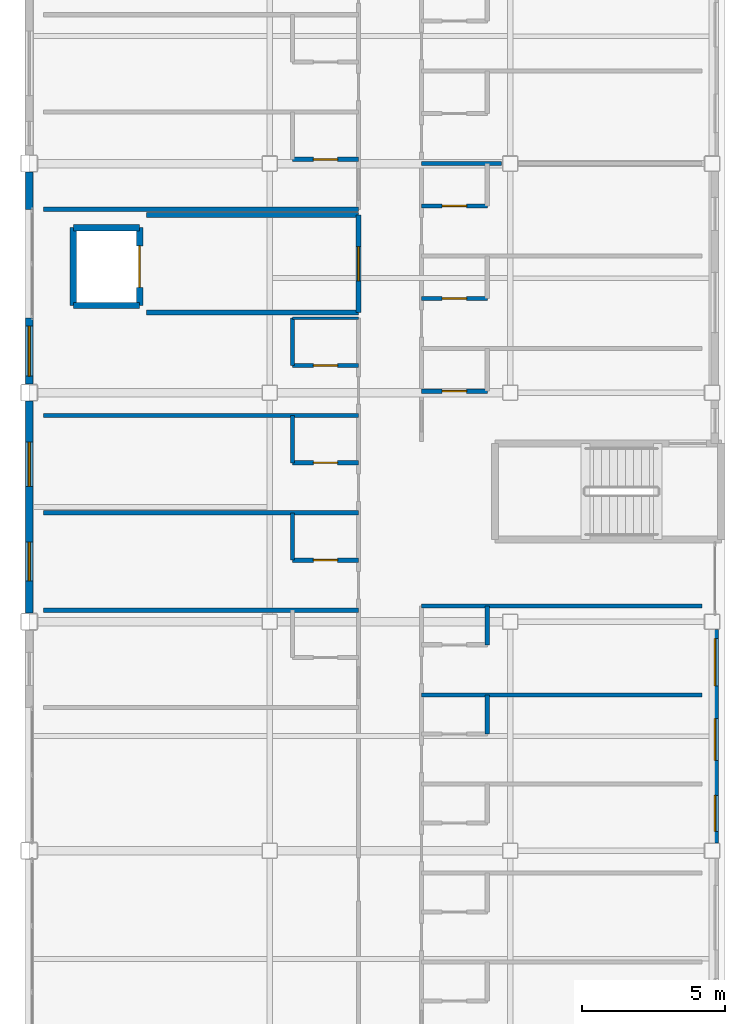
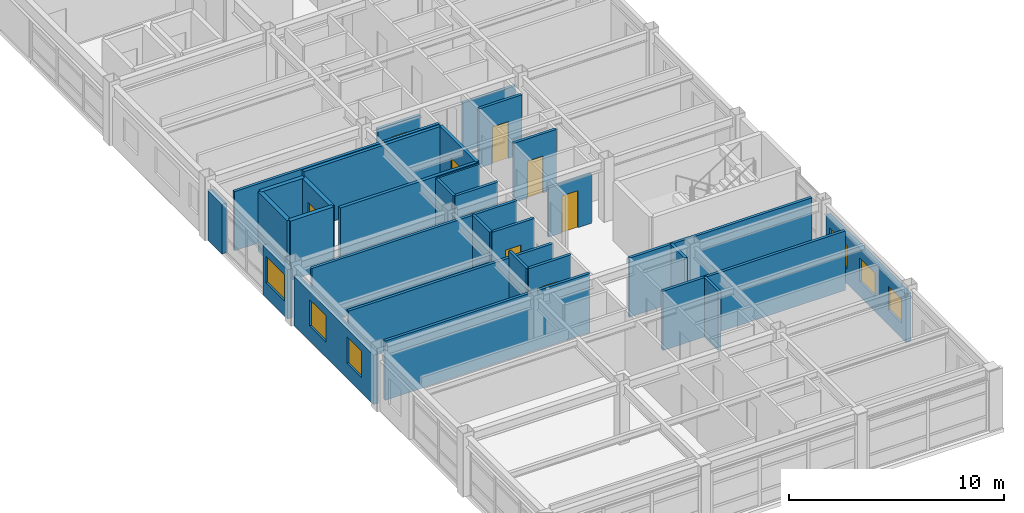
# One storey, part 25 of 36: 31 walls, 9 doors, 6 windows, 15 openings.
"""IFC4 building model written with IfcOpenShell, lengths in metres."""

from ifc_helpers import new_model, si_unit, direction, frame, frame_2d, origin, place, context, subcontext, project, spatial, rectangle, extrude, material, layer, layer_set, type_object, element, fill, save


model = new_model("IFC4")

# Units and contexts
model_context = context("Model", 3, precision=1e-05, world=origin(), true_north=direction((0.0, 1.0)))
body_context = subcontext(model_context, "Body", "Model", "MODEL_VIEW")
ifc_project = project(units=[si_unit("LENGTHUNIT", "METRE"), si_unit("AREAUNIT", "SQUARE_METRE"), si_unit("VOLUMEUNIT", "CUBIC_METRE"), si_unit("PLANEANGLEUNIT", "RADIAN"), si_unit("MASSUNIT", "GRAM", prefix="KILO")], contexts=[model_context])

# Site, building, storey
site_placement = place(None, origin())
site = spatial("IfcSite", under=ifc_project, at=site_placement, CompositionType="ELEMENT")
building_placement = place(site_placement, origin())
building = spatial("IfcBuilding", under=site, at=building_placement, Name="Kazehara Bluff Congress Hotel", CompositionType="ELEMENT")
storey_placement = place(building_placement, frame((0.0, 0.0, 28.199951171875)))
storey = spatial("IfcBuildingStorey", under=building, at=storey_placement, Name="L06", CompositionType="ELEMENT", Elevation=28.199951171875)

# Wall, openings, windows
ifc_material_1 = material(Name="Precast concrete C40/50", Category="concrete")
ifc_layer_1 = layer(ifc_material_1, 0.260009765625)
ifc_layer_set_1 = layer_set([ifc_layer_1], Name="Precast concrete C40/50")
wall_type_1 = type_object("IfcWallType", Name="TP-EW-260", PredefinedType="SOLIDWALL", material=ifc_layer_set_1)
wall_1_placement = place(storey_placement, frame((167.64990234375, 15.72509765625, 0.0), z_axis=(0.0, 0.0, 1.0), x_axis=(0.0, -1.0, 0.0)))
wall_1 = element("IfcWall", 1, at=wall_1_placement, inside=storey, type_object=wall_type_1, Name="L06 hotel facade panel 67", PredefinedType="SOLIDWALL", context=body_context, shape_type="SweptSolid", body=[
    extrude(rectangle(XDim=7.4501953125, YDim=0.260009765625, at=frame_2d((3.72509765625, 0.0))), origin(), (0.0, 0.0, 1.0), 2.755126953125),
])
opening_1_placement = place(wall_1_placement, frame((5.794921875, 0.0, 0.85009765625)))
opening_1 = element("IfcOpeningElement", 2, at=opening_1_placement, cuts=wall_1, Name="Opening WN-06", PredefinedType="OPENING", context=body_context, shape_type="SweptSolid", body=[
    extrude(rectangle(XDim=1.25, YDim=1.35009765625, at=frame_2d((0.625, 0.675048828125))), frame((0.0, 0.139892578125, 0.0), z_axis=(0.0, -1.0, 0.0), x_axis=(1.0, 0.0, 0.0)), (0.0, 0.0, 1.0), 0.280029296875),
])
opening_2_placement = place(wall_1_placement, frame((3.114990234375, 0.0, 0.85009765625)))
opening_2 = element("IfcOpeningElement", 3, at=opening_2_placement, cuts=wall_1, Name="Opening WN-16", PredefinedType="OPENING", context=body_context, shape_type="SweptSolid", body=[
    extrude(rectangle(XDim=1.449951171875, YDim=1.35009765625, at=frame_2d((0.72509765625, 0.675048828125))), frame((0.0, 0.139892578125, 0.0), z_axis=(0.0, -1.0, 0.0), x_axis=(1.0, 0.0, 0.0)), (0.0, 0.0, 1.0), 0.280029296875),
])
opening_3_placement = place(wall_1_placement, frame((0.320068359375, 0.0, 0.85009765625)))
opening_3 = element("IfcOpeningElement", 4, at=opening_3_placement, cuts=wall_1, Name="Opening WN-26", PredefinedType="OPENING", context=body_context, shape_type="SweptSolid", body=[
    extrude(rectangle(XDim=1.64990234375, YDim=1.35009765625, at=frame_2d((0.824951171875, 0.675048828125))), frame((0.0, 0.139892578125, 0.0), z_axis=(0.0, -1.0, 0.0), x_axis=(1.0, 0.0, 0.0)), (0.0, 0.0, 1.0), 0.280029296875),
])
ifc_material_2 = material(Name="Insulated low-E double glazing", Category="glass")
window_type_1 = type_object("IfcWindowType", Name="TP-WN-06", PartitioningType="SINGLE_PANEL", PredefinedType="WINDOW", material=ifc_material_2)
window_1_placement = place(opening_1_placement, origin())
window_1 = element("IfcWindow", 5, at=window_1_placement, inside=storey, type_object=window_type_1, Name="L06 guestroom window WN-06 121", OverallHeight=1.35009765625, OverallWidth=1.25, PartitioningType="SINGLE_PANEL", PredefinedType="WINDOW", context=body_context, shape_type="SweptSolid", body=[
    extrude(rectangle(XDim=1.25, YDim=1.35009765625, at=frame_2d((0.625, 0.675048828125))), frame((0.0, 0.030029296875, 0.0), z_axis=(0.0, -1.0, 0.0), x_axis=(1.0, 0.0, 0.0)), (0.0, 0.0, 1.0), 0.06005859375),
])
fill(opening_1, window_1)
ifc_material_3 = material(Name="Insulated low-E double glazing", Category="glass")
window_type_2 = type_object("IfcWindowType", Name="TP-WN-16", PartitioningType="SINGLE_PANEL", PredefinedType="WINDOW", material=ifc_material_3)
window_2_placement = place(opening_2_placement, origin())
window_2 = element("IfcWindow", 6, at=window_2_placement, inside=storey, type_object=window_type_2, Name="L06 guestroom window WN-16 122", OverallHeight=1.35009765625, OverallWidth=1.449951171875, PartitioningType="SINGLE_PANEL", PredefinedType="WINDOW", context=body_context, shape_type="SweptSolid", body=[
    extrude(rectangle(XDim=1.449951171875, YDim=1.35009765625, at=frame_2d((0.72509765625, 0.675048828125))), frame((0.0, 0.030029296875, 0.0), z_axis=(0.0, -1.0, 0.0), x_axis=(1.0, 0.0, 0.0)), (0.0, 0.0, 1.0), 0.06005859375),
])
fill(opening_2, window_2)
ifc_material_4 = material(Name="Insulated low-E double glazing", Category="glass")
window_type_3 = type_object("IfcWindowType", Name="TP-WN-26", PartitioningType="SINGLE_PANEL", PredefinedType="WINDOW", material=ifc_material_4)
window_3_placement = place(opening_3_placement, origin())
window_3 = element("IfcWindow", 7, at=window_3_placement, inside=storey, type_object=window_type_3, Name="L06 guestroom window WN-26 123", OverallHeight=1.35009765625, OverallWidth=1.64990234375, PartitioningType="SINGLE_PANEL", PredefinedType="WINDOW", context=body_context, shape_type="SweptSolid", body=[
    extrude(rectangle(XDim=1.64990234375, YDim=1.35009765625, at=frame_2d((0.824951171875, 0.675048828125))), frame((0.0, 0.030029296875, 0.0), z_axis=(0.0, -1.0, 0.0), x_axis=(1.0, 0.0, 0.0)), (0.0, 0.0, 1.0), 0.06005859375),
])
fill(opening_3, window_3)

wall_2_placement = place(storey_placement, frame((143.699951171875, 16.300048828125, 0.0), z_axis=(0.0, 0.0, 1.0), x_axis=(0.0, 1.0, 0.0)))
wall_2 = element("IfcWall", 8, at=wall_2_placement, inside=storey, type_object=wall_type_1, Name="L06 hotel facade panel 80", PredefinedType="SOLIDWALL", context=body_context, shape_type="SweptSolid", body=[
    extrude(rectangle(XDim=7.39990234375, YDim=0.260009765625, at=frame_2d((3.699951171875, 0.0))), origin(), (0.0, 0.0, 1.0), 2.804931640625),
])
opening_4_placement = place(wall_2_placement, frame((1.125, 0.0, 0.85009765625)))
opening_4 = element("IfcOpeningElement", 9, at=opening_4_placement, cuts=wall_2, Name="Opening WN-12", PredefinedType="OPENING", context=body_context, shape_type="SweptSolid", body=[
    extrude(rectangle(XDim=1.35009765625, YDim=1.5, at=frame_2d((0.675048828125, 0.75))), frame((0.0, 0.139892578125, 0.0), z_axis=(0.0, -1.0, 0.0), x_axis=(1.0, 0.0, 0.0)), (0.0, 0.0, 1.0), 0.280029296875),
])
opening_5_placement = place(wall_2_placement, frame((4.425048828125, 0.0, 0.85009765625)))
opening_5 = element("IfcOpeningElement", 10, at=opening_5_placement, cuts=wall_2, Name="Opening WN-22", PredefinedType="OPENING", context=body_context, shape_type="SweptSolid", body=[
    extrude(rectangle(XDim=1.550048828125, YDim=1.5, at=frame_2d((0.77490234375, 0.75))), frame((0.0, 0.139892578125, 0.0), z_axis=(0.0, -1.0, 0.0), x_axis=(1.0, 0.0, 0.0)), (0.0, 0.0, 1.0), 0.280029296875),
])
ifc_material_5 = material(Name="Insulated low-E double glazing", Category="glass")
window_type_4 = type_object("IfcWindowType", Name="TP-WN-12", PartitioningType="SINGLE_PANEL", PredefinedType="WINDOW", material=ifc_material_5)
window_4_placement = place(opening_4_placement, origin())
window_4 = element("IfcWindow", 11, at=window_4_placement, inside=storey, type_object=window_type_4, Name="L06 guestroom window WN-12 148", OverallHeight=1.5, OverallWidth=1.35009765625, PartitioningType="SINGLE_PANEL", PredefinedType="WINDOW", context=body_context, shape_type="SweptSolid", body=[
    extrude(rectangle(XDim=1.35009765625, YDim=1.5, at=frame_2d((0.675048828125, 0.75))), frame((0.0, 0.030029296875, 0.0), z_axis=(0.0, -1.0, 0.0), x_axis=(1.0, 0.0, 0.0)), (0.0, 0.0, 1.0), 0.06005859375),
])
fill(opening_4, window_4)
ifc_material_6 = material(Name="Insulated low-E double glazing", Category="glass")
window_type_5 = type_object("IfcWindowType", Name="TP-WN-22", PartitioningType="SINGLE_PANEL", PredefinedType="WINDOW", material=ifc_material_6)
window_5_placement = place(opening_5_placement, origin())
window_5 = element("IfcWindow", 12, at=window_5_placement, inside=storey, type_object=window_type_5, Name="L06 guestroom window WN-22 149", OverallHeight=1.5, OverallWidth=1.550048828125, PartitioningType="SINGLE_PANEL", PredefinedType="WINDOW", context=body_context, shape_type="SweptSolid", body=[
    extrude(rectangle(XDim=1.550048828125, YDim=1.5, at=frame_2d((0.77490234375, 0.75))), frame((0.0, 0.030029296875, 0.0), z_axis=(0.0, -1.0, 0.0), x_axis=(1.0, 0.0, 0.0)), (0.0, 0.0, 1.0), 0.06005859375),
])
fill(opening_5, window_5)

# Wall, opening, window
wall_3_placement = place(storey_placement, frame((143.699951171875, 24.300048828125, 0.0), z_axis=(0.0, 0.0, 1.0), x_axis=(0.0, 1.0, 0.0)))
wall_3 = element("IfcWall", 13, at=wall_3_placement, inside=storey, type_object=wall_type_1, Name="L06 hotel facade panel 81", PredefinedType="SOLIDWALL", context=body_context, shape_type="SweptSolid", body=[
    extrude(rectangle(XDim=2.300048828125, YDim=0.260009765625, at=frame_2d((1.14990234375, 0.0))), origin(), (0.0, 0.0, 1.0), 2.804931640625),
])
opening_6_placement = place(wall_3_placement, frame((0.27490234375, 0.0, 0.85009765625)))
opening_6 = element("IfcOpeningElement", 14, at=opening_6_placement, cuts=wall_3, Name="Opening WN-32", PredefinedType="OPENING", context=body_context, shape_type="SweptSolid", body=[
    extrude(rectangle(XDim=1.75, YDim=1.5, at=frame_2d((0.875, 0.75))), frame((0.0, 0.139892578125, 0.0), z_axis=(0.0, -1.0, 0.0), x_axis=(1.0, 0.0, 0.0)), (0.0, 0.0, 1.0), 0.280029296875),
])
ifc_material_7 = material(Name="Insulated low-E double glazing", Category="glass")
window_type_6 = type_object("IfcWindowType", Name="TP-WN-32", PartitioningType="SINGLE_PANEL", PredefinedType="WINDOW", material=ifc_material_7)
window_6_placement = place(opening_6_placement, origin())
window_6 = element("IfcWindow", 15, at=window_6_placement, inside=storey, type_object=window_type_6, Name="L06 guestroom window WN-32 150", OverallHeight=1.5, OverallWidth=1.75, PartitioningType="SINGLE_PANEL", PredefinedType="WINDOW", context=body_context, shape_type="SweptSolid", body=[
    extrude(rectangle(XDim=1.75, YDim=1.5, at=frame_2d((0.875, 0.75))), frame((0.0, 0.030029296875, 0.0), z_axis=(0.0, -1.0, 0.0), x_axis=(1.0, 0.0, 0.0)), (0.0, 0.0, 1.0), 0.06005859375),
])
fill(opening_6, window_6)

# Walls
wall_4_placement = place(storey_placement, frame((143.699951171875, 30.39990234375, 0.0), z_axis=(0.0, 0.0, 1.0), x_axis=(0.0, 1.0, 0.0)))
element("IfcWall", 16, at=wall_4_placement, inside=storey, type_object=wall_type_1, Name="L06 hotel facade panel 82", PredefinedType="SOLIDWALL", context=body_context, shape_type="SweptSolid", body=[
    extrude(rectangle(XDim=1.300048828125, YDim=0.260009765625, at=frame_2d((0.64990234375, 0.0))), origin(), (0.0, 0.0, 1.0), 2.804931640625),
])
ifc_material_8 = material(Name="Fire-rated gypsum board stud partition")
ifc_layer_2 = layer(ifc_material_8, 0.094970703125)
ifc_layer_set_2 = layer_set([ifc_layer_2], Name="Fire-rated gypsum board stud partition")
wall_type_2 = type_object("IfcWallType", Name="TP-PT-095", PredefinedType="PARTITIONING", material=ifc_layer_set_2)
wall_5_placement = place(storey_placement, frame((152.89990234375, 26.60009765625, 0.0), z_axis=(0.0, 0.0, 1.0), x_axis=(1.0, 0.0, 0.0)))
element("IfcWall", 17, at=wall_5_placement, inside=storey, type_object=wall_type_2, Name="L06 partition PT-095 709", PredefinedType="PARTITIONING", context=body_context, shape_type="SweptSolid", body=[
    extrude(rectangle(XDim=2.300048828125, YDim=0.094970703125, at=frame_2d((1.14990234375, 0.0))), origin(), (0.0, 0.0, 1.0), 3.364990234375),
])
ifc_material_9 = material(Name="Fire-rated gypsum board stud partition")
ifc_layer_3 = layer(ifc_material_9, 0.14990234375)
ifc_layer_set_3 = layer_set([ifc_layer_3], Name="Fire-rated gypsum board stud partition")
wall_type_3 = type_object("IfcWallType", Name="TP-PT-150", PredefinedType="PARTITIONING", material=ifc_layer_set_3)
wall_6_placement = place(storey_placement, frame((157.39990234375, 13.43994140625, 0.0), z_axis=(0.0, 0.0, 1.0), x_axis=(1.0, 0.0, 0.0)))
element("IfcWall", 18, at=wall_6_placement, inside=storey, type_object=wall_type_3, Name="L06 partition PT-150 697", PredefinedType="PARTITIONING", context=body_context, shape_type="SweptSolid", body=[
    extrude(rectangle(XDim=9.800048828125, YDim=0.14990234375, at=frame_2d((4.89990234375, 0.0))), origin(), (0.0, 0.0, 1.0), 3.364990234375),
])
wall_7_placement = place(storey_placement, frame((144.199951171875, 16.39990234375, 0.0), z_axis=(0.0, 0.0, 1.0), x_axis=(1.0, 0.0, 0.0)))
element("IfcWall", 19, at=wall_7_placement, inside=storey, type_object=wall_type_3, Name="L06 partition PT-150 700", PredefinedType="PARTITIONING", context=body_context, shape_type="SweptSolid", body=[
    extrude(rectangle(XDim=11.0, YDim=0.14990234375, at=frame_2d((5.5, 0.0))), origin(), (0.0, 0.0, 1.0), 3.364990234375),
])
wall_8_placement = place(storey_placement, frame((157.39990234375, 16.550048828125, 0.0), z_axis=(0.0, 0.0, 1.0), x_axis=(1.0, 0.0, 0.0)))
element("IfcWall", 20, at=wall_8_placement, inside=storey, type_object=wall_type_3, Name="L06 partition PT-150 701", PredefinedType="PARTITIONING", context=body_context, shape_type="SweptSolid", body=[
    extrude(rectangle(XDim=9.800048828125, YDim=0.14990234375, at=frame_2d((4.89990234375, 0.0))), origin(), (0.0, 0.0, 1.0), 3.364990234375),
])

# Wall, opening, door
wall_9_placement = place(storey_placement, frame((152.89990234375, 18.14990234375, 0.0), z_axis=(0.0, 0.0, 1.0), x_axis=(1.0, 0.0, 0.0)))
wall_9 = element("IfcWall", 21, at=wall_9_placement, inside=storey, type_object=wall_type_3, Name="L06 partition PT-150 702", PredefinedType="PARTITIONING", context=body_context, shape_type="SweptSolid", body=[
    extrude(rectangle(XDim=2.300048828125, YDim=0.14990234375, at=frame_2d((1.14990234375, 0.0))), origin(), (0.0, 0.0, 1.0), 3.364990234375),
])
opening_7_placement = place(wall_9_placement, frame((0.72509765625, 0.0, 0.0)))
opening_7 = element("IfcOpeningElement", 22, at=opening_7_placement, cuts=wall_9, Name="Opening BD-01", PredefinedType="OPENING", context=body_context, shape_type="SweptSolid", body=[
    extrude(rectangle(XDim=0.85009765625, YDim=2.10009765625, at=frame_2d((0.425048828125, 1.050048828125))), frame((0.0, 0.0849609375, 0.0), z_axis=(0.0, -1.0, 0.0), x_axis=(1.0, 0.0, 0.0)), (0.0, 0.0, 1.0), 0.169921875),
])
ifc_material_10 = material(Name="Architectural oak veneer leaf")
door_type_1 = type_object("IfcDoorType", Name="TP-BD-01", OperationType="NOTDEFINED", PredefinedType="DOOR", material=ifc_material_10)
door_1_placement = place(opening_7_placement, origin())
door_1 = element("IfcDoor", 23, at=door_1_placement, inside=storey, type_object=door_type_1, Name="L06 En-suite Bathroom 120 door", OperationType="SINGLE_SWING_LEFT", OverallHeight=2.10009765625, OverallWidth=0.85009765625, PredefinedType="DOOR", context=body_context, shape_type="SweptSolid", body=[
    extrude(rectangle(XDim=0.85009765625, YDim=2.10009765625, at=frame_2d((0.425048828125, 1.050048828125))), frame((0.0, 0.02490234375, 0.0), z_axis=(0.0, -1.0, 0.0), x_axis=(1.0, 0.0, 0.0)), (0.0, 0.0, 1.0), 0.050048828125),
])
fill(opening_7, door_1)

# Wall
wall_10_placement = place(storey_placement, frame((144.199951171875, 19.800048828125, 0.0), z_axis=(0.0, 0.0, 1.0), x_axis=(1.0, 0.0, 0.0)))
element("IfcWall", 24, at=wall_10_placement, inside=storey, type_object=wall_type_3, Name="L06 partition PT-150 703", PredefinedType="PARTITIONING", context=body_context, shape_type="SweptSolid", body=[
    extrude(rectangle(XDim=11.0, YDim=0.14990234375, at=frame_2d((5.5, 0.0))), origin(), (0.0, 0.0, 1.0), 3.005126953125),
])

# Wall, opening, door
wall_11_placement = place(storey_placement, frame((152.89990234375, 21.550048828125, 0.0), z_axis=(0.0, 0.0, 1.0), x_axis=(1.0, 0.0, 0.0)))
wall_11 = element("IfcWall", 25, at=wall_11_placement, inside=storey, type_object=wall_type_3, Name="L06 partition PT-150 704", PredefinedType="PARTITIONING", context=body_context, shape_type="SweptSolid", body=[
    extrude(rectangle(XDim=2.300048828125, YDim=0.14990234375, at=frame_2d((1.14990234375, 0.0))), origin(), (0.0, 0.0, 1.0), 3.364990234375),
])
opening_8_placement = place(wall_11_placement, frame((0.72509765625, 0.0, 0.0)))
opening_8 = element("IfcOpeningElement", 26, at=opening_8_placement, cuts=wall_11, Name="Opening BD-01", PredefinedType="OPENING", context=body_context, shape_type="SweptSolid", body=[
    extrude(rectangle(XDim=0.85009765625, YDim=2.10009765625, at=frame_2d((0.425048828125, 1.050048828125))), frame((0.0, 0.0849609375, 0.0), z_axis=(0.0, -1.0, 0.0), x_axis=(1.0, 0.0, 0.0)), (0.0, 0.0, 1.0), 0.169921875),
])
door_2_placement = place(opening_8_placement, origin())
door_2 = element("IfcDoor", 27, at=door_2_placement, inside=storey, type_object=door_type_1, Name="L06 En-suite Bathroom 121 door", OperationType="SINGLE_SWING_LEFT", OverallHeight=2.10009765625, OverallWidth=0.85009765625, PredefinedType="DOOR", context=body_context, shape_type="SweptSolid", body=[
    extrude(rectangle(XDim=0.85009765625, YDim=2.10009765625, at=frame_2d((0.425048828125, 1.050048828125))), frame((0.0, 0.02490234375, 0.0), z_axis=(0.0, -1.0, 0.0), x_axis=(1.0, 0.0, 0.0)), (0.0, 0.0, 1.0), 0.050048828125),
])
fill(opening_8, door_2)

# Wall
wall_12_placement = place(storey_placement, frame((144.199951171875, 23.199951171875, 0.0), z_axis=(0.0, 0.0, 1.0), x_axis=(1.0, 0.0, 0.0)))
element("IfcWall", 28, at=wall_12_placement, inside=storey, type_object=wall_type_3, Name="L06 partition PT-150 705", PredefinedType="PARTITIONING", context=body_context, shape_type="SweptSolid", body=[
    extrude(rectangle(XDim=11.0, YDim=0.14990234375, at=frame_2d((5.5, 0.0))), origin(), (0.0, 0.0, 1.0), 3.364990234375),
])

# Wall, opening, door
wall_13_placement = place(storey_placement, frame((157.39990234375, 24.050048828125, 0.0), z_axis=(0.0, 0.0, 1.0), x_axis=(1.0, 0.0, 0.0)))
wall_13 = element("IfcWall", 29, at=wall_13_placement, inside=storey, type_object=wall_type_3, Name="L06 partition PT-150 706", PredefinedType="PARTITIONING", context=body_context, shape_type="SweptSolid", body=[
    extrude(rectangle(XDim=2.300048828125, YDim=0.14990234375, at=frame_2d((1.14990234375, 0.0))), origin(), (0.0, 0.0, 1.0), 2.804931640625),
])
opening_9_placement = place(wall_13_placement, frame((0.72509765625, 0.0, 0.0)))
opening_9 = element("IfcOpeningElement", 30, at=opening_9_placement, cuts=wall_13, Name="Opening BD-01", PredefinedType="OPENING", context=body_context, shape_type="SweptSolid", body=[
    extrude(rectangle(XDim=0.85009765625, YDim=2.10009765625, at=frame_2d((0.425048828125, 1.050048828125))), frame((0.0, 0.0849609375, 0.0), z_axis=(0.0, -1.0, 0.0), x_axis=(1.0, 0.0, 0.0)), (0.0, 0.0, 1.0), 0.169921875),
])
door_3_placement = place(opening_9_placement, origin())
door_3 = element("IfcDoor", 31, at=door_3_placement, inside=storey, type_object=door_type_1, Name="L06 En-suite Bathroom 144 door", OperationType="SINGLE_SWING_LEFT", OverallHeight=2.10009765625, OverallWidth=0.85009765625, PredefinedType="DOOR", context=body_context, shape_type="SweptSolid", body=[
    extrude(rectangle(XDim=0.85009765625, YDim=2.10009765625, at=frame_2d((0.425048828125, 1.050048828125))), frame((0.0, 0.02490234375, 0.0), z_axis=(0.0, -1.0, 0.0), x_axis=(1.0, 0.0, 0.0)), (0.0, 0.0, 1.0), 0.050048828125),
])
fill(opening_9, door_3)

wall_14_placement = place(storey_placement, frame((152.89990234375, 24.949951171875, 0.0), z_axis=(0.0, 0.0, 1.0), x_axis=(1.0, 0.0, 0.0)))
wall_14 = element("IfcWall", 32, at=wall_14_placement, inside=storey, type_object=wall_type_3, Name="L06 partition PT-150 707", PredefinedType="PARTITIONING", context=body_context, shape_type="SweptSolid", body=[
    extrude(rectangle(XDim=2.300048828125, YDim=0.14990234375, at=frame_2d((1.14990234375, 0.0))), origin(), (0.0, 0.0, 1.0), 3.364990234375),
])
opening_10_placement = place(wall_14_placement, frame((0.72509765625, 0.0, 0.0)))
opening_10 = element("IfcOpeningElement", 33, at=opening_10_placement, cuts=wall_14, Name="Opening BD-01", PredefinedType="OPENING", context=body_context, shape_type="SweptSolid", body=[
    extrude(rectangle(XDim=0.85009765625, YDim=2.10009765625, at=frame_2d((0.425048828125, 1.050048828125))), frame((0.0, 0.0849609375, 0.0), z_axis=(0.0, -1.0, 0.0), x_axis=(1.0, 0.0, 0.0)), (0.0, 0.0, 1.0), 0.169921875),
])
door_4_placement = place(opening_10_placement, origin())
door_4 = element("IfcDoor", 34, at=door_4_placement, inside=storey, type_object=door_type_1, Name="L06 En-suite Bathroom 122 door", OperationType="SINGLE_SWING_LEFT", OverallHeight=2.10009765625, OverallWidth=0.85009765625, PredefinedType="DOOR", context=body_context, shape_type="SweptSolid", body=[
    extrude(rectangle(XDim=0.85009765625, YDim=2.10009765625, at=frame_2d((0.425048828125, 1.050048828125))), frame((0.0, 0.02490234375, 0.0), z_axis=(0.0, -1.0, 0.0), x_axis=(1.0, 0.0, 0.0)), (0.0, 0.0, 1.0), 0.050048828125),
])
fill(opening_10, door_4)

wall_15_placement = place(storey_placement, frame((157.39990234375, 27.2900390625, 0.0), z_axis=(0.0, 0.0, 1.0), x_axis=(1.0, 0.0, 0.0)))
wall_15 = element("IfcWall", 35, at=wall_15_placement, inside=storey, type_object=wall_type_3, Name="L06 partition PT-150 711", PredefinedType="PARTITIONING", context=body_context, shape_type="SweptSolid", body=[
    extrude(rectangle(XDim=2.300048828125, YDim=0.14990234375, at=frame_2d((1.14990234375, 0.0))), origin(), (0.0, 0.0, 1.0), 3.364990234375),
])
opening_11_placement = place(wall_15_placement, frame((0.72509765625, 0.0, 0.0)))
opening_11 = element("IfcOpeningElement", 36, at=opening_11_placement, cuts=wall_15, Name="Opening BD-01", PredefinedType="OPENING", context=body_context, shape_type="SweptSolid", body=[
    extrude(rectangle(XDim=0.85009765625, YDim=2.10009765625, at=frame_2d((0.425048828125, 1.050048828125))), frame((0.0, 0.0849609375, 0.0), z_axis=(0.0, -1.0, 0.0), x_axis=(1.0, 0.0, 0.0)), (0.0, 0.0, 1.0), 0.169921875),
])
door_5_placement = place(opening_11_placement, origin())
door_5 = element("IfcDoor", 37, at=door_5_placement, inside=storey, type_object=door_type_1, Name="L06 En-suite Bathroom 145 door", OperationType="SINGLE_SWING_LEFT", OverallHeight=2.10009765625, OverallWidth=0.85009765625, PredefinedType="DOOR", context=body_context, shape_type="SweptSolid", body=[
    extrude(rectangle(XDim=0.85009765625, YDim=2.10009765625, at=frame_2d((0.425048828125, 1.050048828125))), frame((0.0, 0.02490234375, 0.0), z_axis=(0.0, -1.0, 0.0), x_axis=(1.0, 0.0, 0.0)), (0.0, 0.0, 1.0), 0.050048828125),
])
fill(opening_11, door_5)

# Wall
wall_16_placement = place(storey_placement, frame((144.199951171875, 30.39990234375, 0.0), z_axis=(0.0, 0.0, 1.0), x_axis=(1.0, 0.0, 0.0)))
element("IfcWall", 38, at=wall_16_placement, inside=storey, type_object=wall_type_3, Name="L06 partition PT-150 714", PredefinedType="PARTITIONING", context=body_context, shape_type="SweptSolid", body=[
    extrude(rectangle(XDim=11.0, YDim=0.14990234375, at=frame_2d((5.5, 0.0))), origin(), (0.0, 0.0, 1.0), 3.364990234375),
])

# Wall, opening, door
wall_17_placement = place(storey_placement, frame((157.39990234375, 30.52001953125, 0.0), z_axis=(0.0, 0.0, 1.0), x_axis=(1.0, 0.0, 0.0)))
wall_17 = element("IfcWall", 39, at=wall_17_placement, inside=storey, type_object=wall_type_3, Name="L06 partition PT-150 715", PredefinedType="PARTITIONING", context=body_context, shape_type="SweptSolid", body=[
    extrude(rectangle(XDim=2.300048828125, YDim=0.14990234375, at=frame_2d((1.14990234375, 0.0))), origin(), (0.0, 0.0, 1.0), 3.364990234375),
])
opening_12_placement = place(wall_17_placement, frame((0.72509765625, 0.0, 0.0)))
opening_12 = element("IfcOpeningElement", 40, at=opening_12_placement, cuts=wall_17, Name="Opening BD-01", PredefinedType="OPENING", context=body_context, shape_type="SweptSolid", body=[
    extrude(rectangle(XDim=0.85009765625, YDim=2.10009765625, at=frame_2d((0.425048828125, 1.050048828125))), frame((0.0, 0.0849609375, 0.0), z_axis=(0.0, -1.0, 0.0), x_axis=(1.0, 0.0, 0.0)), (0.0, 0.0, 1.0), 0.169921875),
])
door_6_placement = place(opening_12_placement, origin())
door_6 = element("IfcDoor", 41, at=door_6_placement, inside=storey, type_object=door_type_1, Name="L06 En-suite Bathroom 146 door", OperationType="SINGLE_SWING_LEFT", OverallHeight=2.10009765625, OverallWidth=0.85009765625, PredefinedType="DOOR", context=body_context, shape_type="SweptSolid", body=[
    extrude(rectangle(XDim=0.85009765625, YDim=2.10009765625, at=frame_2d((0.425048828125, 1.050048828125))), frame((0.0, 0.02490234375, 0.0), z_axis=(0.0, -1.0, 0.0), x_axis=(1.0, 0.0, 0.0)), (0.0, 0.0, 1.0), 0.050048828125),
])
fill(opening_12, door_6)

# Wall
wall_18_placement = place(storey_placement, frame((157.39990234375, 32.0, 0.0), z_axis=(0.0, 0.0, 1.0), x_axis=(1.0, 0.0, 0.0)))
element("IfcWall", 42, at=wall_18_placement, inside=storey, type_object=wall_type_3, Name="L06 partition PT-150 716", PredefinedType="PARTITIONING", context=body_context, shape_type="SweptSolid", body=[
    extrude(rectangle(XDim=2.80517578125, YDim=0.14990234375, at=frame_2d((1.402587890625, 0.0))), origin(), (0.0, 0.0, 1.0), 2.804931640625),
])

# Wall, opening, door
wall_19_placement = place(storey_placement, frame((152.89990234375, 32.14990234375, 0.0), z_axis=(0.0, 0.0, 1.0), x_axis=(1.0, 0.0, 0.0)))
wall_19 = element("IfcWall", 43, at=wall_19_placement, inside=storey, type_object=wall_type_3, Name="L06 partition PT-150 718", PredefinedType="PARTITIONING", context=body_context, shape_type="SweptSolid", body=[
    extrude(rectangle(XDim=2.300048828125, YDim=0.14990234375, at=frame_2d((1.14990234375, 0.0))), origin(), (0.0, 0.0, 1.0), 2.804931640625),
])
opening_13_placement = place(wall_19_placement, frame((0.72509765625, 0.0, 0.0)))
opening_13 = element("IfcOpeningElement", 44, at=opening_13_placement, cuts=wall_19, Name="Opening BD-01", PredefinedType="OPENING", context=body_context, shape_type="SweptSolid", body=[
    extrude(rectangle(XDim=0.85009765625, YDim=2.10009765625, at=frame_2d((0.425048828125, 1.050048828125))), frame((0.0, 0.0849609375, 0.0), z_axis=(0.0, -1.0, 0.0), x_axis=(1.0, 0.0, 0.0)), (0.0, 0.0, 1.0), 0.169921875),
])
door_7_placement = place(opening_13_placement, origin())
door_7 = element("IfcDoor", 45, at=door_7_placement, inside=storey, type_object=door_type_1, Name="L06 En-suite Bathroom 123 door", OperationType="SINGLE_SWING_LEFT", OverallHeight=2.10009765625, OverallWidth=0.85009765625, PredefinedType="DOOR", context=body_context, shape_type="SweptSolid", body=[
    extrude(rectangle(XDim=0.85009765625, YDim=2.10009765625, at=frame_2d((0.425048828125, 1.050048828125))), frame((0.0, 0.02490234375, 0.0), z_axis=(0.0, -1.0, 0.0), x_axis=(1.0, 0.0, 0.0)), (0.0, 0.0, 1.0), 0.050048828125),
])
fill(opening_13, door_7)

# Walls
wall_20_placement = place(storey_placement, frame((152.89990234375, 18.14990234375, 0.0), z_axis=(0.0, 0.0, 1.0), x_axis=(0.0, 1.0, 0.0)))
element("IfcWall", 46, at=wall_20_placement, inside=storey, type_object=wall_type_3, Name="L06 partition PT-150 802", PredefinedType="PARTITIONING", context=body_context, shape_type="SweptSolid", body=[
    extrude(rectangle(XDim=1.650146484375, YDim=0.14990234375, at=frame_2d((0.8251953125, 0.0))), origin(), (0.0, 0.0, 1.0), 3.364990234375),
])
wall_21_placement = place(storey_placement, frame((152.89990234375, 21.550048828125, 0.0), z_axis=(0.0, 0.0, 1.0), x_axis=(0.0, 1.0, 0.0)))
element("IfcWall", 47, at=wall_21_placement, inside=storey, type_object=wall_type_3, Name="L06 partition PT-150 803", PredefinedType="PARTITIONING", context=body_context, shape_type="SweptSolid", body=[
    extrude(rectangle(XDim=1.64990234375, YDim=0.14990234375, at=frame_2d((0.824951171875, 0.0))), origin(), (0.0, 0.0, 1.0), 3.364990234375),
])
wall_22_placement = place(storey_placement, frame((152.89990234375, 24.949951171875, 0.0), z_axis=(0.0, 0.0, 1.0), x_axis=(0.0, 1.0, 0.0)))
element("IfcWall", 48, at=wall_22_placement, inside=storey, type_object=wall_type_3, Name="L06 partition PT-150 804", PredefinedType="PARTITIONING", context=body_context, shape_type="SweptSolid", body=[
    extrude(rectangle(XDim=1.650146484375, YDim=0.14990234375, at=frame_2d((0.8251953125, 0.0))), origin(), (0.0, 0.0, 1.0), 3.364990234375),
])
wall_23_placement = place(storey_placement, frame((159.699951171875, 12.080078125, 0.0), z_axis=(0.0, 0.0, 1.0), x_axis=(0.0, 1.0, 0.0)))
element("IfcWall", 49, at=wall_23_placement, inside=storey, type_object=wall_type_3, Name="L06 partition PT-150 834", PredefinedType="PARTITIONING", context=body_context, shape_type="SweptSolid", body=[
    extrude(rectangle(XDim=1.35986328125, YDim=0.14990234375, at=frame_2d((0.679931640625, 0.0))), origin(), (0.0, 0.0, 1.0), 3.364990234375),
])
wall_24_placement = place(storey_placement, frame((159.699951171875, 15.18994140625, 0.0), z_axis=(0.0, 0.0, 1.0), x_axis=(0.0, 1.0, 0.0)))
element("IfcWall", 50, at=wall_24_placement, inside=storey, type_object=wall_type_3, Name="L06 partition PT-150 835", PredefinedType="PARTITIONING", context=body_context, shape_type="SweptSolid", body=[
    extrude(rectangle(XDim=1.360107421875, YDim=0.14990234375, at=frame_2d((0.68017578125, 0.0))), origin(), (0.0, 0.0, 1.0), 3.364990234375),
])
ifc_material_11 = material(Name="Fire-rated gypsum board stud partition")
ifc_layer_4 = layer(ifc_material_11, 0.169921875)
ifc_layer_set_4 = layer_set([ifc_layer_4], Name="Fire-rated gypsum board stud partition")
wall_type_4 = type_object("IfcWallType", Name="TP-PT-180", PredefinedType="PARTITIONING", material=ifc_layer_set_4)
for number, where, z_axis, x_axis, name in (
    (51, (147.800048828125, 26.800048828125, 0.0), (0.0, 0.0, 1.0), (1.0, 0.0, 0.0), "L06 partition PT-180 710"),
    (52, (147.800048828125, 30.199951171875, 0.0), (0.0, 0.0, 1.0), (1.0, 0.0, 0.0), "L06 partition PT-180 713"),
):
    element("IfcWall", number, at=place(storey_placement, frame(where, z_axis=z_axis, x_axis=x_axis)), inside=storey, type_object=wall_type_4, Name=name, PredefinedType="PARTITIONING", context=body_context, shape_type="SweptSolid", body=[
        extrude(rectangle(XDim=7.39990234375, YDim=0.169921875, at=frame_2d((3.699951171875, 0.0))), origin(), (0.0, 0.0, 1.0), 3.364990234375),
    ])

# Wall, opening, door
wall_25_placement = place(storey_placement, frame((155.199951171875, 26.800048828125, 0.0), z_axis=(0.0, 0.0, 1.0), x_axis=(0.0, 1.0, 0.0)))
wall_25 = element("IfcWall", 53, at=wall_25_placement, inside=storey, type_object=wall_type_4, Name="L06 partition PT-180 822", PredefinedType="PARTITIONING", context=body_context, shape_type="SweptSolid", body=[
    extrude(rectangle(XDim=3.39990234375, YDim=0.169921875, at=frame_2d((1.699951171875, 0.0))), origin(), (0.0, 0.0, 1.0), 3.364990234375),
])
opening_14_placement = place(wall_25_placement, frame((1.10009765625, 0.0, 0.0)))
opening_14 = element("IfcOpeningElement", 54, at=opening_14_placement, cuts=wall_25, Name="Opening FD-02", PredefinedType="OPENING", context=body_context, shape_type="SweptSolid", body=[
    extrude(rectangle(XDim=1.199951171875, YDim=2.199951171875, at=frame_2d((0.60009765625, 1.10009765625))), frame((0.0, 0.094970703125, 0.0), z_axis=(0.0, -1.0, 0.0), x_axis=(1.0, 0.0, 0.0)), (0.0, 0.0, 1.0), 0.18994140625),
])
ifc_material_12 = material(Name="Fire-rated painted steel leaf", Category="steel")
door_type_2 = type_object("IfcDoorType", Name="TP-FD-02", OperationType="NOTDEFINED", PredefinedType="DOOR", material=ifc_material_12)
door_8_placement = place(opening_14_placement, origin())
door_8 = element("IfcDoor", 55, at=door_8_placement, inside=storey, type_object=door_type_2, Name="L06 L06 Service Lift Lobby door", OperationType="SINGLE_SWING_RIGHT", OverallHeight=2.199951171875, OverallWidth=1.199951171875, PredefinedType="DOOR", context=body_context, shape_type="SweptSolid", body=[
    extrude(rectangle(XDim=1.199951171875, YDim=2.199951171875, at=frame_2d((0.60009765625, 1.10009765625))), frame((0.0, 0.02490234375, 0.0), z_axis=(0.0, -1.0, 0.0), x_axis=(1.0, 0.0, 0.0)), (0.0, 0.0, 1.0), 0.050048828125),
])
fill(opening_14, door_8)

# Walls
ifc_material_13 = material(Name="Concrete C40/50", Category="concrete")
ifc_layer_5 = layer(ifc_material_13, 0.219970703125)
ifc_layer_set_5 = layer_set([ifc_layer_5], Name="Concrete C40/50")
wall_type_5 = type_object("IfcWallType", Name="TP-SW-RC", PredefinedType="SHEAR", material=ifc_layer_set_5)
for number, where, z_axis, x_axis, name in (
    (56, (145.239990234375, 29.760009765625, 0.0), (0.0, 0.0, 1.0), (1.0, 0.0, 0.0), "L06 EL-S3 lift shaft wall +Y"),
    (57, (145.239990234375, 27.0400390625, 0.0), (0.0, 0.0, 1.0), (1.0, 0.0, 0.0), "L06 EL-S3 lift shaft wall -Y"),
):
    element("IfcWall", number, at=place(storey_placement, frame(where, z_axis=z_axis, x_axis=x_axis)), inside=storey, type_object=wall_type_5, Name=name, PredefinedType="SHEAR", context=body_context, shape_type="SweptSolid", body=[
        extrude(rectangle(XDim=2.320068359375, YDim=0.219970703125, at=frame_2d((1.16015625, 0.0))), origin(), (0.0, 0.0, 1.0), 3.380126953125),
    ])

# Wall, opening, door
wall_26_placement = place(storey_placement, frame((147.56005859375, 27.0400390625, 0.0), z_axis=(0.0, 0.0, 1.0), x_axis=(0.0, 1.0, 0.0)))
wall_26 = element("IfcWall", 58, at=wall_26_placement, inside=storey, type_object=wall_type_5, Name="L06 EL-S3 lift shaft wall +X", PredefinedType="SHEAR", context=body_context, shape_type="SweptSolid", body=[
    extrude(rectangle(XDim=2.719970703125, YDim=0.219970703125, at=frame_2d((1.35986328125, 0.0))), origin(), (0.0, 0.0, 1.0), 3.380126953125),
])
opening_15_placement = place(wall_26_placement, frame((0.635009765625, 0.0, 0.0)))
opening_15 = element("IfcOpeningElement", 59, at=opening_15_placement, cuts=wall_26, Name="Opening LD-04", PredefinedType="OPENING", context=body_context, shape_type="SweptSolid", body=[
    extrude(rectangle(XDim=1.449951171875, YDim=2.35009765625, at=frame_2d((0.72509765625, 1.175048828125))), frame((0.0, 0.119873046875, 0.0), z_axis=(0.0, -1.0, 0.0), x_axis=(1.0, 0.0, 0.0)), (0.0, 0.0, 1.0), 0.239990234375),
])
ifc_material_14 = material(Name="Fire-rated painted steel leaf", Category="steel")
door_type_3 = type_object("IfcDoorType", Name="TP-LD-04", OperationType="SLIDING_TO_LEFT", PredefinedType="DOOR", material=ifc_material_14)
door_9_placement = place(opening_15_placement, origin())
door_9 = element("IfcDoor", 60, at=door_9_placement, inside=storey, type_object=door_type_3, Name="L06 EL-S3 elevator landing door", OperationType="SLIDING_TO_LEFT", OverallHeight=2.35009765625, OverallWidth=1.449951171875, PredefinedType="DOOR", context=body_context, shape_type="SweptSolid", body=[
    extrude(rectangle(XDim=1.449951171875, YDim=2.35009765625, at=frame_2d((0.72509765625, 1.175048828125))), frame((0.0, 0.02490234375, 0.0), z_axis=(0.0, -1.0, 0.0), x_axis=(1.0, 0.0, 0.0)), (0.0, 0.0, 1.0), 0.050048828125),
])
fill(opening_15, door_9)

# Wall
wall_27_placement = place(storey_placement, frame((145.239990234375, 27.0400390625, 0.0), z_axis=(0.0, 0.0, 1.0), x_axis=(0.0, 1.0, 0.0)))
element("IfcWall", 61, at=wall_27_placement, inside=storey, type_object=wall_type_5, Name="L06 EL-S3 lift shaft wall -X", PredefinedType="SHEAR", context=body_context, shape_type="SweptSolid", body=[
    extrude(rectangle(XDim=2.719970703125, YDim=0.219970703125, at=frame_2d((1.35986328125, 0.0))), origin(), (0.0, 0.0, 1.0), 3.380126953125),
])

save(model, "model.ifc")
